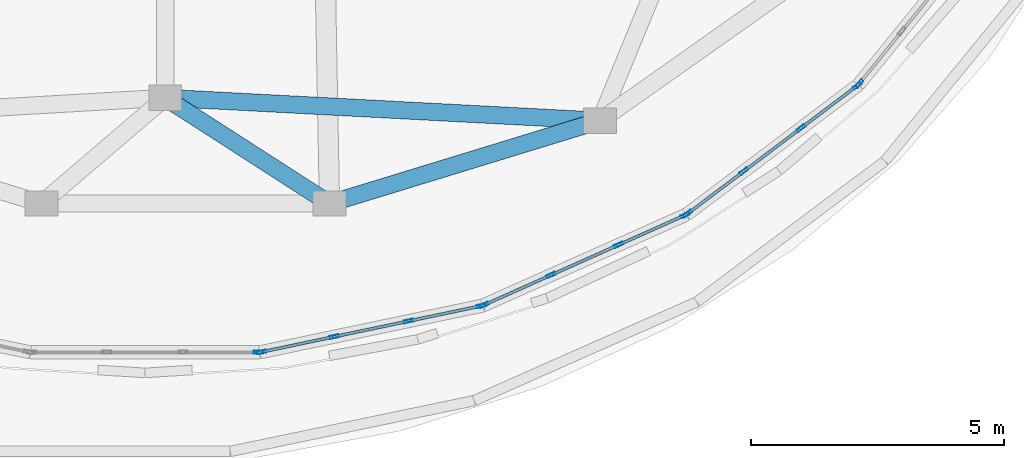
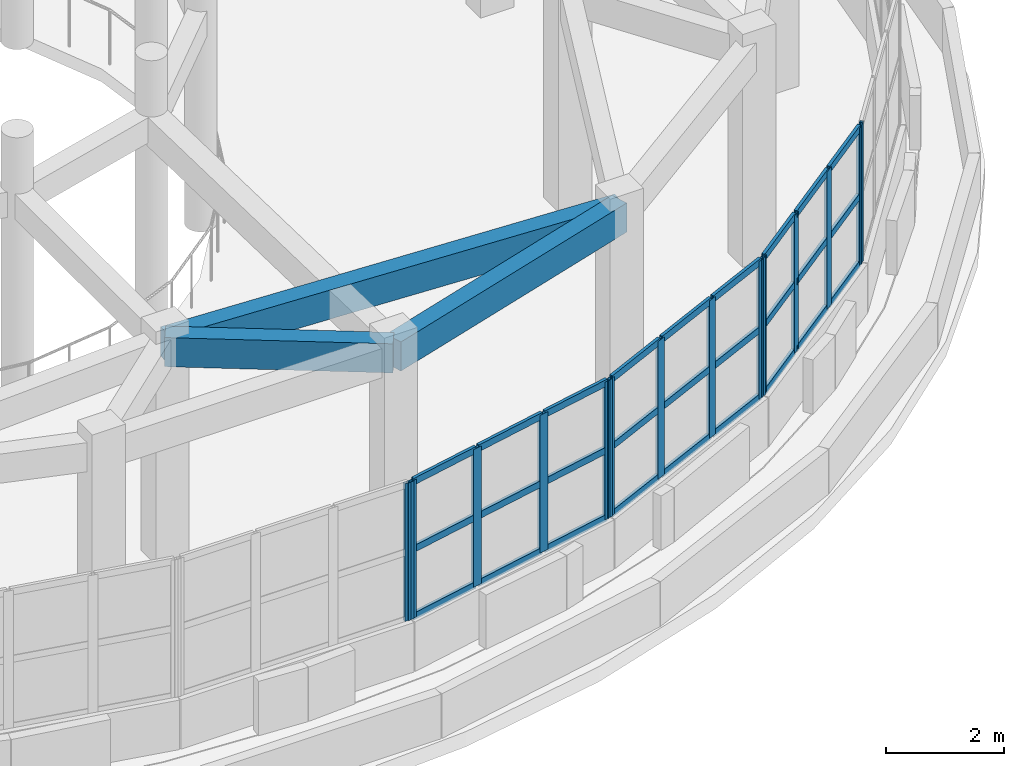
# One storey, part 8 of 98: 41 members, 3 beams, 5 elements without a shape of their own.
"""IFC4 building model written with IfcOpenShell, lengths in metres."""

from ifc_helpers import new_model, si_unit, direction, frame, origin, origin_2d, place, context, subcontext, project, spatial, rectangle, hollow_rectangle, extrude, material, layer, layer_set, material_profile, profile_set, type_object, element, aggregate, save


model = new_model("IFC4")

# Units and contexts
model_context = context("Model", 3, precision=1e-05, world=origin(), true_north=direction((0.0, 1.0)))
body_context = subcontext(model_context, "Body", "Model", "MODEL_VIEW")
ifc_project = project(units=[si_unit("LENGTHUNIT", "METRE"), si_unit("AREAUNIT", "SQUARE_METRE"), si_unit("VOLUMEUNIT", "CUBIC_METRE"), si_unit("PLANEANGLEUNIT", "RADIAN"), si_unit("MASSUNIT", "GRAM", prefix="KILO")], contexts=[model_context])

# Site, building, storey
site_placement = place(None, origin())
site = spatial("IfcSite", under=ifc_project, at=site_placement, CompositionType="ELEMENT")
building_placement = place(site_placement, origin())
building = spatial("IfcBuilding", under=site, at=building_placement, Name="Pelvatis Terrace Science Centre", CompositionType="ELEMENT")
storey_placement = place(building_placement, frame((0.0, 0.0, 5.39990234375)))
storey = spatial("IfcBuildingStorey", under=building, at=storey_placement, Name="L01", CompositionType="ELEMENT", Elevation=5.39990234375)

# Curtain wall, member
ifc_material_1 = material(Name="Bronze-anodised aluminium and laminated glass", Category="aluminium")
ifc_layer = layer(ifc_material_1, 0.179931640625)
ifc_layer_set = layer_set([ifc_layer], Name="Bronze-anodised aluminium and laminated glass")
curtain_wall_type = type_object("IfcCurtainWallType", Name="CW-RIBBON-A", PredefinedType="NOTDEFINED", material=ifc_layer_set)
curtain_wall_1_placement = place(storey_placement, origin())
curtain_wall_1 = element("IfcCurtainWall", 1, at=curtain_wall_1_placement, inside=storey, type_object=curtain_wall_type, Name="Ribbon curtain wall CW-036 (L01)", PredefinedType="NOTDEFINED")
ifc_material_2 = material(Name="Bronze-anodised aluminium 6063-T6", Category="aluminium")
ifc_material_profile_1 = material_profile(ifc_material_2, hollow_rectangle(XDim=0.06005859375, YDim=0.179931640625, WallThickness=0.00390625, at=origin_2d()), Name="ALU-MUL 60x180")
ifc_profile_set_1 = profile_set([ifc_material_profile_1], Name="Bronze-anodised aluminium 6063-T6")
member_type_1 = type_object("IfcMemberType", Name="CWM-60x180", PredefinedType="MULLION", material=ifc_profile_set_1)
member_1_placement = place(storey_placement, frame((48.64208984375, 18.866943359375, 1.02001953125), z_axis=(0.0, 0.0, 1.0), x_axis=(0.0, 1.0, 0.0)))
member_1 = element("IfcMember", 2, at=member_1_placement, type_object=member_type_1, Name="CW-036 mullion 4", PredefinedType="MULLION", context=body_context, shape_type="SweptSolid", body=[
    extrude(hollow_rectangle(XDim=0.06005859375, YDim=0.179931640625, WallThickness=0.00390625, at=origin_2d()), origin(), (0.0, 0.0, 1.0), 2.840087890625),
])
aggregate(curtain_wall_1, [member_1])

# Curtain wall, members
curtain_wall_2_placement = place(storey_placement, origin())
curtain_wall_2 = element("IfcCurtainWall", 3, at=curtain_wall_2_placement, inside=storey, type_object=curtain_wall_type, Name="Ribbon curtain wall CW-037 (L01)", PredefinedType="NOTDEFINED")
member_2_placement = place(storey_placement, frame((48.701416015625, 18.873046875, 1.02001953125), z_axis=(0.0, 0.0, 1.0), x_axis=(-0.205397839698, 0.978678561862, 0.0)))
member_2 = element("IfcMember", 4, at=member_2_placement, type_object=member_type_1, Name="CW-037 mullion 1", PredefinedType="MULLION", context=body_context, shape_type="SweptSolid", body=[
    extrude(hollow_rectangle(XDim=0.06005859375, YDim=0.179931640625, WallThickness=0.00390625, at=origin_2d()), origin(), (0.0, 0.0, 1.0), 2.840087890625),
])
member_3_placement = place(storey_placement, frame((50.142822265625, 19.17578125, 1.02001953125), z_axis=(0.0, 0.0, 1.0), x_axis=(-0.205397839698, 0.978678561862, 0.0)))
member_3 = element("IfcMember", 5, at=member_3_placement, type_object=member_type_1, Name="CW-037 mullion 2", PredefinedType="MULLION", context=body_context, shape_type="SweptSolid", body=[
    extrude(hollow_rectangle(XDim=0.06005859375, YDim=0.179931640625, WallThickness=0.00390625, at=origin_2d()), origin(), (0.0, 0.0, 1.0), 2.840087890625),
])
member_4_placement = place(storey_placement, frame((51.613525390625, 19.484375, 1.02001953125), z_axis=(0.0, 0.0, 1.0), x_axis=(-0.205397839698, 0.978678561862, 0.0)))
member_4 = element("IfcMember", 6, at=member_4_placement, type_object=member_type_1, Name="CW-037 mullion 3", PredefinedType="MULLION", context=body_context, shape_type="SweptSolid", body=[
    extrude(hollow_rectangle(XDim=0.06005859375, YDim=0.179931640625, WallThickness=0.00390625, at=origin_2d()), origin(), (0.0, 0.0, 1.0), 2.840087890625),
])
member_5_placement = place(storey_placement, frame((53.054931640625, 19.786865234375, 1.02001953125), z_axis=(0.0, 0.0, 1.0), x_axis=(-0.205397839698, 0.978678561862, 0.0)))
member_5 = element("IfcMember", 7, at=member_5_placement, type_object=member_type_1, Name="CW-037 mullion 4", PredefinedType="MULLION", context=body_context, shape_type="SweptSolid", body=[
    extrude(hollow_rectangle(XDim=0.06005859375, YDim=0.179931640625, WallThickness=0.00390625, at=origin_2d()), origin(), (0.0, 0.0, 1.0), 2.840087890625),
])

curtain_wall_3_placement = place(storey_placement, origin())
curtain_wall_3 = element("IfcCurtainWall", 8, at=curtain_wall_3_placement, inside=storey, type_object=curtain_wall_type, Name="Ribbon curtain wall CW-038 (L01)", PredefinedType="NOTDEFINED")
member_6_placement = place(storey_placement, frame((53.111572265625, 19.80517578125, 1.02001953125), z_axis=(0.0, 0.0, 1.0), x_axis=(-0.407992377394, 0.91298533394, 0.0)))
member_6 = element("IfcMember", 9, at=member_6_placement, type_object=member_type_1, Name="CW-038 mullion 1", PredefinedType="MULLION", context=body_context, shape_type="SweptSolid", body=[
    extrude(hollow_rectangle(XDim=0.06005859375, YDim=0.179931640625, WallThickness=0.00390625, at=origin_2d()), origin(), (0.0, 0.0, 1.0), 2.840087890625),
])
member_7_placement = place(storey_placement, frame((54.425537109375, 20.392333984375, 1.02001953125), z_axis=(0.0, 0.0, 1.0), x_axis=(-0.407992377394, 0.91298533394, 0.0)))
member_7 = element("IfcMember", 10, at=member_7_placement, type_object=member_type_1, Name="CW-038 mullion 2", PredefinedType="MULLION", context=body_context, shape_type="SweptSolid", body=[
    extrude(hollow_rectangle(XDim=0.06005859375, YDim=0.179931640625, WallThickness=0.00390625, at=origin_2d()), origin(), (0.0, 0.0, 1.0), 2.840087890625),
])
member_8_placement = place(storey_placement, frame((55.766845703125, 20.99169921875, 1.02001953125), z_axis=(0.0, 0.0, 1.0), x_axis=(-0.407992377394, 0.91298533394, 0.0)))
member_8 = element("IfcMember", 11, at=member_8_placement, type_object=member_type_1, Name="CW-038 mullion 3", PredefinedType="MULLION", context=body_context, shape_type="SweptSolid", body=[
    extrude(hollow_rectangle(XDim=0.06005859375, YDim=0.179931640625, WallThickness=0.00390625, at=origin_2d()), origin(), (0.0, 0.0, 1.0), 2.840087890625),
])
member_9_placement = place(storey_placement, frame((57.08056640625, 21.578857421875, 1.02001953125), z_axis=(0.0, 0.0, 1.0), x_axis=(-0.407992377394, 0.91298533394, 0.0)))
member_9 = element("IfcMember", 12, at=member_9_placement, type_object=member_type_1, Name="CW-038 mullion 4", PredefinedType="MULLION", context=body_context, shape_type="SweptSolid", body=[
    extrude(hollow_rectangle(XDim=0.06005859375, YDim=0.179931640625, WallThickness=0.00390625, at=origin_2d()), origin(), (0.0, 0.0, 1.0), 2.840087890625),
])

curtain_wall_4_placement = place(storey_placement, origin())
curtain_wall_4 = element("IfcCurtainWall", 13, at=curtain_wall_4_placement, inside=storey, type_object=curtain_wall_type, Name="Ribbon curtain wall CW-039 (L01)", PredefinedType="NOTDEFINED")
member_10_placement = place(storey_placement, frame((57.1318359375, 21.609130859375, 1.02001953125), z_axis=(0.0, 0.0, 1.0), x_axis=(-0.602213340756, 0.798335200411, 0.0)))
member_10 = element("IfcMember", 14, at=member_10_placement, type_object=member_type_1, Name="CW-039 mullion 1", PredefinedType="MULLION", context=body_context, shape_type="SweptSolid", body=[
    extrude(hollow_rectangle(XDim=0.06005859375, YDim=0.179931640625, WallThickness=0.00390625, at=origin_2d()), origin(), (0.0, 0.0, 1.0), 2.840087890625),
])
member_11_placement = place(storey_placement, frame((58.24169921875, 22.4462890625, 1.02001953125), z_axis=(0.0, 0.0, 1.0), x_axis=(-0.602213340756, 0.798335200411, 0.0)))
member_11 = element("IfcMember", 15, at=member_11_placement, type_object=member_type_1, Name="CW-039 mullion 2", PredefinedType="MULLION", context=body_context, shape_type="SweptSolid", body=[
    extrude(hollow_rectangle(XDim=0.06005859375, YDim=0.179931640625, WallThickness=0.00390625, at=origin_2d()), origin(), (0.0, 0.0, 1.0), 2.840087890625),
])
member_12_placement = place(storey_placement, frame((59.37548828125, 23.301513671875, 1.02001953125), z_axis=(0.0, 0.0, 1.0), x_axis=(-0.602213340756, 0.798335200411, 0.0)))
member_12 = element("IfcMember", 16, at=member_12_placement, type_object=member_type_1, Name="CW-039 mullion 3", PredefinedType="MULLION", context=body_context, shape_type="SweptSolid", body=[
    extrude(hollow_rectangle(XDim=0.06005859375, YDim=0.179931640625, WallThickness=0.00390625, at=origin_2d()), origin(), (0.0, 0.0, 1.0), 2.840087890625),
])
member_13_placement = place(storey_placement, frame((60.4853515625, 24.138916015625, 1.02001953125), z_axis=(0.0, 0.0, 1.0), x_axis=(-0.602213340756, 0.798335200411, 0.0)))
member_13 = element("IfcMember", 17, at=member_13_placement, type_object=member_type_1, Name="CW-039 mullion 4", PredefinedType="MULLION", context=body_context, shape_type="SweptSolid", body=[
    extrude(hollow_rectangle(XDim=0.06005859375, YDim=0.179931640625, WallThickness=0.00390625, at=origin_2d()), origin(), (0.0, 0.0, 1.0), 2.840087890625),
])

# Curtain wall, member
curtain_wall_5_placement = place(storey_placement, origin())
curtain_wall_5 = element("IfcCurtainWall", 18, at=curtain_wall_5_placement, inside=storey, type_object=curtain_wall_type, Name="Ribbon curtain wall CW-040 (L01)", PredefinedType="NOTDEFINED")
member_14_placement = place(storey_placement, frame((60.5283203125, 24.18017578125, 1.02001953125), z_axis=(0.0, 0.0, 1.0), x_axis=(-0.776811223185, 0.629733533753, 0.0)))
member_14 = element("IfcMember", 19, at=member_14_placement, type_object=member_type_1, Name="CW-040 mullion 1", PredefinedType="MULLION", context=body_context, shape_type="SweptSolid", body=[
    extrude(hollow_rectangle(XDim=0.06005859375, YDim=0.179931640625, WallThickness=0.00390625, at=origin_2d()), origin(), (0.0, 0.0, 1.0), 2.840087890625),
])
aggregate(curtain_wall_5, [member_14])

# Member
ifc_material_3 = material(Name="Bronze-anodised aluminium 6063-T6", Category="aluminium")
ifc_material_profile_2 = material_profile(ifc_material_3, hollow_rectangle(XDim=0.06005859375, YDim=0.139892578125, WallThickness=0.00390625, at=origin_2d()), Name="ALU-TRN 60x140")
ifc_profile_set_2 = profile_set([ifc_material_profile_2], Name="Bronze-anodised aluminium 6063-T6")
member_type_2 = type_object("IfcMemberType", Name="CWT-60x140", PredefinedType="USERDEFINED", material=ifc_profile_set_2)
member_15_placement = place(storey_placement, frame((48.730712890625, 18.87939453125, 1.050048828125), z_axis=(0.978703513381, 0.205278914883, 0.0), x_axis=(-0.205278914883, 0.978703513381, 0.0)))
member_15 = element("IfcMember", 20, at=member_15_placement, type_object=member_type_2, Name="CW-037 transom 1.1", ObjectType="TRANSOM", PredefinedType="USERDEFINED", context=body_context, shape_type="SweptSolid", body=[
    extrude(hollow_rectangle(XDim=0.06005859375, YDim=0.139892578125, WallThickness=0.00390625, at=origin_2d()), origin(), (0.0, 0.0, 1.0), 1.412841796875),
])

member_16_placement = place(storey_placement, frame((48.730712890625, 18.87939453125, 2.440185546875), z_axis=(0.978703513381, 0.205278914883, 0.0), x_axis=(-0.205278914883, 0.978703513381, 0.0)))
member_16 = element("IfcMember", 21, at=member_16_placement, type_object=member_type_2, Name="CW-037 transom 1.2", ObjectType="TRANSOM", PredefinedType="USERDEFINED", context=body_context, shape_type="SweptSolid", body=[
    extrude(hollow_rectangle(XDim=0.06005859375, YDim=0.139892578125, WallThickness=0.00390625, at=origin_2d()), origin(), (0.0, 0.0, 1.0), 1.412841796875),
])

member_17_placement = place(storey_placement, frame((48.730712890625, 18.87939453125, 3.830078125), z_axis=(0.978703513381, 0.205278914883, 0.0), x_axis=(-0.205278914883, 0.978703513381, 0.0)))
member_17 = element("IfcMember", 22, at=member_17_placement, type_object=member_type_2, Name="CW-037 transom 1.3", ObjectType="TRANSOM", PredefinedType="USERDEFINED", context=body_context, shape_type="SweptSolid", body=[
    extrude(hollow_rectangle(XDim=0.06005859375, YDim=0.139892578125, WallThickness=0.00390625, at=origin_2d()), origin(), (0.0, 0.0, 1.0), 1.412841796875),
])

member_18_placement = place(storey_placement, frame((50.172119140625, 19.181884765625, 1.050048828125), z_axis=(0.978675271589, 0.205413516547, 0.0), x_axis=(-0.205413516547, 0.978675271589, 0.0)))
member_18 = element("IfcMember", 23, at=member_18_placement, type_object=member_type_2, Name="CW-037 transom 2.1", ObjectType="TRANSOM", PredefinedType="USERDEFINED", context=body_context, shape_type="SweptSolid", body=[
    extrude(hollow_rectangle(XDim=0.06005859375, YDim=0.139892578125, WallThickness=0.00390625, at=origin_2d()), origin(), (0.0, 0.0, 1.0), 1.44287109375),
])

member_19_placement = place(storey_placement, frame((50.172119140625, 19.181884765625, 2.440185546875), z_axis=(0.978675271589, 0.205413516547, 0.0), x_axis=(-0.205413516547, 0.978675271589, 0.0)))
member_19 = element("IfcMember", 24, at=member_19_placement, type_object=member_type_2, Name="CW-037 transom 2.2", ObjectType="TRANSOM", PredefinedType="USERDEFINED", context=body_context, shape_type="SweptSolid", body=[
    extrude(hollow_rectangle(XDim=0.06005859375, YDim=0.139892578125, WallThickness=0.00390625, at=origin_2d()), origin(), (0.0, 0.0, 1.0), 1.44287109375),
])

member_20_placement = place(storey_placement, frame((50.172119140625, 19.181884765625, 3.830078125), z_axis=(0.978675271589, 0.205413516547, 0.0), x_axis=(-0.205413516547, 0.978675271589, 0.0)))
member_20 = element("IfcMember", 25, at=member_20_placement, type_object=member_type_2, Name="CW-037 transom 2.3", ObjectType="TRANSOM", PredefinedType="USERDEFINED", context=body_context, shape_type="SweptSolid", body=[
    extrude(hollow_rectangle(XDim=0.06005859375, YDim=0.139892578125, WallThickness=0.00390625, at=origin_2d()), origin(), (0.0, 0.0, 1.0), 1.44287109375),
])

member_21_placement = place(storey_placement, frame((51.642822265625, 19.490478515625, 1.050048828125), z_axis=(0.978668785121, 0.205444418346, 0.0), x_axis=(-0.205444418346, 0.978668785121, 0.0)))
member_21 = element("IfcMember", 26, at=member_21_placement, type_object=member_type_2, Name="CW-037 transom 3.1", ObjectType="TRANSOM", PredefinedType="USERDEFINED", context=body_context, shape_type="SweptSolid", body=[
    extrude(hollow_rectangle(XDim=0.06005859375, YDim=0.139892578125, WallThickness=0.00390625, at=origin_2d()), origin(), (0.0, 0.0, 1.0), 1.412841796875),
])

member_22_placement = place(storey_placement, frame((51.642822265625, 19.490478515625, 2.440185546875), z_axis=(0.978668785121, 0.205444418346, 0.0), x_axis=(-0.205444418346, 0.978668785121, 0.0)))
member_22 = element("IfcMember", 27, at=member_22_placement, type_object=member_type_2, Name="CW-037 transom 3.2", ObjectType="TRANSOM", PredefinedType="USERDEFINED", context=body_context, shape_type="SweptSolid", body=[
    extrude(hollow_rectangle(XDim=0.06005859375, YDim=0.139892578125, WallThickness=0.00390625, at=origin_2d()), origin(), (0.0, 0.0, 1.0), 1.412841796875),
])

member_23_placement = place(storey_placement, frame((51.642822265625, 19.490478515625, 3.830078125), z_axis=(0.978668785121, 0.205444418346, 0.0), x_axis=(-0.205444418346, 0.978668785121, 0.0)))
member_23 = element("IfcMember", 28, at=member_23_placement, type_object=member_type_2, Name="CW-037 transom 3.3", ObjectType="TRANSOM", PredefinedType="USERDEFINED", context=body_context, shape_type="SweptSolid", body=[
    extrude(hollow_rectangle(XDim=0.06005859375, YDim=0.139892578125, WallThickness=0.00390625, at=origin_2d()), origin(), (0.0, 0.0, 1.0), 1.412841796875),
])

aggregate(curtain_wall_2, [member_2, member_3, member_4, member_5, member_15, member_16, member_17, member_18, member_19, member_20, member_21, member_22, member_23])

member_24_placement = place(storey_placement, frame((53.13916015625, 19.8173828125, 1.050048828125), z_axis=(0.912955392726, 0.408059371773, 0.0), x_axis=(-0.408059371773, 0.912955392726, 0.0)))
member_24 = element("IfcMember", 29, at=member_24_placement, type_object=member_type_2, Name="CW-038 transom 1.1", ObjectType="TRANSOM", PredefinedType="USERDEFINED", context=body_context, shape_type="SweptSolid", body=[
    extrude(hollow_rectangle(XDim=0.06005859375, YDim=0.139892578125, WallThickness=0.00390625, at=origin_2d()), origin(), (0.0, 0.0, 1.0), 1.379150390625),
])

member_25_placement = place(storey_placement, frame((53.13916015625, 19.8173828125, 2.440185546875), z_axis=(0.912955392726, 0.408059371773, 0.0), x_axis=(-0.408059371773, 0.912955392726, 0.0)))
member_25 = element("IfcMember", 30, at=member_25_placement, type_object=member_type_2, Name="CW-038 transom 1.2", ObjectType="TRANSOM", PredefinedType="USERDEFINED", context=body_context, shape_type="SweptSolid", body=[
    extrude(hollow_rectangle(XDim=0.06005859375, YDim=0.139892578125, WallThickness=0.00390625, at=origin_2d()), origin(), (0.0, 0.0, 1.0), 1.379150390625),
])

member_26_placement = place(storey_placement, frame((53.13916015625, 19.8173828125, 3.830078125), z_axis=(0.912955392726, 0.408059371773, 0.0), x_axis=(-0.408059371773, 0.912955392726, 0.0)))
member_26 = element("IfcMember", 31, at=member_26_placement, type_object=member_type_2, Name="CW-038 transom 1.3", ObjectType="TRANSOM", PredefinedType="USERDEFINED", context=body_context, shape_type="SweptSolid", body=[
    extrude(hollow_rectangle(XDim=0.06005859375, YDim=0.139892578125, WallThickness=0.00390625, at=origin_2d()), origin(), (0.0, 0.0, 1.0), 1.379150390625),
])

member_27_placement = place(storey_placement, frame((54.452880859375, 20.404541015625, 1.050048828125), z_axis=(0.912959272944, 0.408050690412, 0.0), x_axis=(-0.408050690412, 0.912959272944, 0.0)))
member_27 = element("IfcMember", 32, at=member_27_placement, type_object=member_type_2, Name="CW-038 transom 2.1", ObjectType="TRANSOM", PredefinedType="USERDEFINED", context=body_context, shape_type="SweptSolid", body=[
    extrude(hollow_rectangle(XDim=0.06005859375, YDim=0.139892578125, WallThickness=0.00390625, at=origin_2d()), origin(), (0.0, 0.0, 1.0), 1.408935546875),
])

member_28_placement = place(storey_placement, frame((54.452880859375, 20.404541015625, 2.440185546875), z_axis=(0.912959272944, 0.408050690412, 0.0), x_axis=(-0.408050690412, 0.912959272944, 0.0)))
member_28 = element("IfcMember", 33, at=member_28_placement, type_object=member_type_2, Name="CW-038 transom 2.2", ObjectType="TRANSOM", PredefinedType="USERDEFINED", context=body_context, shape_type="SweptSolid", body=[
    extrude(hollow_rectangle(XDim=0.06005859375, YDim=0.139892578125, WallThickness=0.00390625, at=origin_2d()), origin(), (0.0, 0.0, 1.0), 1.408935546875),
])

member_29_placement = place(storey_placement, frame((54.452880859375, 20.404541015625, 3.830078125), z_axis=(0.912959272944, 0.408050690412, 0.0), x_axis=(-0.408050690412, 0.912959272944, 0.0)))
member_29 = element("IfcMember", 34, at=member_29_placement, type_object=member_type_2, Name="CW-038 transom 2.3", ObjectType="TRANSOM", PredefinedType="USERDEFINED", context=body_context, shape_type="SweptSolid", body=[
    extrude(hollow_rectangle(XDim=0.06005859375, YDim=0.139892578125, WallThickness=0.00390625, at=origin_2d()), origin(), (0.0, 0.0, 1.0), 1.408935546875),
])

member_30_placement = place(storey_placement, frame((55.794189453125, 21.00390625, 1.050048828125), z_axis=(0.912955392726, 0.408059371773, 0.0), x_axis=(-0.408059371773, 0.912955392726, 0.0)))
member_30 = element("IfcMember", 35, at=member_30_placement, type_object=member_type_2, Name="CW-038 transom 3.1", ObjectType="TRANSOM", PredefinedType="USERDEFINED", context=body_context, shape_type="SweptSolid", body=[
    extrude(hollow_rectangle(XDim=0.06005859375, YDim=0.139892578125, WallThickness=0.00390625, at=origin_2d()), origin(), (0.0, 0.0, 1.0), 1.379150390625),
])

member_31_placement = place(storey_placement, frame((55.794189453125, 21.00390625, 2.440185546875), z_axis=(0.912955392726, 0.408059371773, 0.0), x_axis=(-0.408059371773, 0.912955392726, 0.0)))
member_31 = element("IfcMember", 36, at=member_31_placement, type_object=member_type_2, Name="CW-038 transom 3.2", ObjectType="TRANSOM", PredefinedType="USERDEFINED", context=body_context, shape_type="SweptSolid", body=[
    extrude(hollow_rectangle(XDim=0.06005859375, YDim=0.139892578125, WallThickness=0.00390625, at=origin_2d()), origin(), (0.0, 0.0, 1.0), 1.379150390625),
])

member_32_placement = place(storey_placement, frame((55.794189453125, 21.00390625, 3.830078125), z_axis=(0.912955392726, 0.408059371773, 0.0), x_axis=(-0.408059371773, 0.912955392726, 0.0)))
member_32 = element("IfcMember", 37, at=member_32_placement, type_object=member_type_2, Name="CW-038 transom 3.3", ObjectType="TRANSOM", PredefinedType="USERDEFINED", context=body_context, shape_type="SweptSolid", body=[
    extrude(hollow_rectangle(XDim=0.06005859375, YDim=0.139892578125, WallThickness=0.00390625, at=origin_2d()), origin(), (0.0, 0.0, 1.0), 1.379150390625),
])

aggregate(curtain_wall_3, [member_6, member_7, member_8, member_9, member_24, member_25, member_26, member_27, member_28, member_29, member_30, member_31, member_32])

member_33_placement = place(storey_placement, frame((57.156005859375, 21.627197265625, 1.050048828125), z_axis=(0.798300712903, 0.602259057033, 0.0), x_axis=(-0.602259057033, 0.798300712903, 0.0)))
member_33 = element("IfcMember", 38, at=member_33_placement, type_object=member_type_2, Name="CW-039 transom 1.1", ObjectType="TRANSOM", PredefinedType="USERDEFINED", context=body_context, shape_type="SweptSolid", body=[
    extrude(hollow_rectangle(XDim=0.06005859375, YDim=0.139892578125, WallThickness=0.00390625, at=origin_2d()), origin(), (0.0, 0.0, 1.0), 1.330078125),
])

member_34_placement = place(storey_placement, frame((57.156005859375, 21.627197265625, 2.440185546875), z_axis=(0.798300712903, 0.602259057033, 0.0), x_axis=(-0.602259057033, 0.798300712903, 0.0)))
member_34 = element("IfcMember", 39, at=member_34_placement, type_object=member_type_2, Name="CW-039 transom 1.2", ObjectType="TRANSOM", PredefinedType="USERDEFINED", context=body_context, shape_type="SweptSolid", body=[
    extrude(hollow_rectangle(XDim=0.06005859375, YDim=0.139892578125, WallThickness=0.00390625, at=origin_2d()), origin(), (0.0, 0.0, 1.0), 1.330078125),
])

member_35_placement = place(storey_placement, frame((57.156005859375, 21.627197265625, 3.830078125), z_axis=(0.798300712903, 0.602259057033, 0.0), x_axis=(-0.602259057033, 0.798300712903, 0.0)))
member_35 = element("IfcMember", 40, at=member_35_placement, type_object=member_type_2, Name="CW-039 transom 1.3", ObjectType="TRANSOM", PredefinedType="USERDEFINED", context=body_context, shape_type="SweptSolid", body=[
    extrude(hollow_rectangle(XDim=0.06005859375, YDim=0.139892578125, WallThickness=0.00390625, at=origin_2d()), origin(), (0.0, 0.0, 1.0), 1.330078125),
])

member_36_placement = place(storey_placement, frame((58.265869140625, 22.46435546875, 1.050048828125), z_axis=(0.798294997433, 0.602266632874, 0.0), x_axis=(-0.602266632874, 0.798294997433, 0.0)))
member_36 = element("IfcMember", 41, at=member_36_placement, type_object=member_type_2, Name="CW-039 transom 2.1", ObjectType="TRANSOM", PredefinedType="USERDEFINED", context=body_context, shape_type="SweptSolid", body=[
    extrude(hollow_rectangle(XDim=0.06005859375, YDim=0.139892578125, WallThickness=0.00390625, at=origin_2d()), origin(), (0.0, 0.0, 1.0), 1.360107421875),
])

member_37_placement = place(storey_placement, frame((58.265869140625, 22.46435546875, 2.440185546875), z_axis=(0.798294997433, 0.602266632874, 0.0), x_axis=(-0.602266632874, 0.798294997433, 0.0)))
member_37 = element("IfcMember", 42, at=member_37_placement, type_object=member_type_2, Name="CW-039 transom 2.2", ObjectType="TRANSOM", PredefinedType="USERDEFINED", context=body_context, shape_type="SweptSolid", body=[
    extrude(hollow_rectangle(XDim=0.06005859375, YDim=0.139892578125, WallThickness=0.00390625, at=origin_2d()), origin(), (0.0, 0.0, 1.0), 1.360107421875),
])

member_38_placement = place(storey_placement, frame((58.265869140625, 22.46435546875, 3.830078125), z_axis=(0.798294997433, 0.602266632874, 0.0), x_axis=(-0.602266632874, 0.798294997433, 0.0)))
member_38 = element("IfcMember", 43, at=member_38_placement, type_object=member_type_2, Name="CW-039 transom 2.3", ObjectType="TRANSOM", PredefinedType="USERDEFINED", context=body_context, shape_type="SweptSolid", body=[
    extrude(hollow_rectangle(XDim=0.06005859375, YDim=0.139892578125, WallThickness=0.00390625, at=origin_2d()), origin(), (0.0, 0.0, 1.0), 1.360107421875),
])

member_39_placement = place(storey_placement, frame((59.399658203125, 23.319580078125, 1.050048828125), z_axis=(0.798212461601, 0.602376017239, 0.0), x_axis=(-0.602376017239, 0.798212461601, 0.0)))
member_39 = element("IfcMember", 44, at=member_39_placement, type_object=member_type_2, Name="CW-039 transom 3.1", ObjectType="TRANSOM", PredefinedType="USERDEFINED", context=body_context, shape_type="SweptSolid", body=[
    extrude(hollow_rectangle(XDim=0.06005859375, YDim=0.139892578125, WallThickness=0.00390625, at=origin_2d()), origin(), (0.0, 0.0, 1.0), 1.330078125),
])

member_40_placement = place(storey_placement, frame((59.399658203125, 23.319580078125, 2.440185546875), z_axis=(0.798212461601, 0.602376017239, 0.0), x_axis=(-0.602376017239, 0.798212461601, 0.0)))
member_40 = element("IfcMember", 45, at=member_40_placement, type_object=member_type_2, Name="CW-039 transom 3.2", ObjectType="TRANSOM", PredefinedType="USERDEFINED", context=body_context, shape_type="SweptSolid", body=[
    extrude(hollow_rectangle(XDim=0.06005859375, YDim=0.139892578125, WallThickness=0.00390625, at=origin_2d()), origin(), (0.0, 0.0, 1.0), 1.330078125),
])

member_41_placement = place(storey_placement, frame((59.399658203125, 23.319580078125, 3.830078125), z_axis=(0.798212461601, 0.602376017239, 0.0), x_axis=(-0.602376017239, 0.798212461601, 0.0)))
member_41 = element("IfcMember", 46, at=member_41_placement, type_object=member_type_2, Name="CW-039 transom 3.3", ObjectType="TRANSOM", PredefinedType="USERDEFINED", context=body_context, shape_type="SweptSolid", body=[
    extrude(hollow_rectangle(XDim=0.06005859375, YDim=0.139892578125, WallThickness=0.00390625, at=origin_2d()), origin(), (0.0, 0.0, 1.0), 1.330078125),
])

aggregate(curtain_wall_4, [member_10, member_11, member_12, member_13, member_33, member_34, member_35, member_36, member_37, member_38, member_39, member_40, member_41])

# Beams
ifc_material_4 = material(Name="Concrete C35/45", Category="concrete")
ifc_material_profile_3 = material_profile(ifc_material_4, rectangle(XDim=0.340087890625, YDim=0.60009765625, at=origin_2d()), Name="RC-SPN 340x600")
ifc_profile_set_3 = profile_set([ifc_material_profile_3], Name="Concrete C35/45")
beam_type = type_object("IfcBeamType", Name="SPN-RC-340x600", PredefinedType="SPANDREL", material=ifc_profile_set_3)
beam_1_placement = place(storey_placement, frame((50.0478515625, 21.809814453125, 4.239990234375), z_axis=(0.956173292978, 0.292801355522, 0.0), x_axis=(-0.292801355522, 0.956173292978, 0.0)))
element("IfcBeam", 47, at=beam_1_placement, inside=storey, type_object=beam_type, Name="Spandrel SP-L01-2700", PredefinedType="SPANDREL", context=body_context, shape_type="SweptSolid", body=[
    extrude(rectangle(XDim=0.340087890625, YDim=0.60009765625, at=origin_2d()), origin(), (0.0, 0.0, 1.0), 5.597412109375),
])
beam_2_placement = place(storey_placement, frame((50.0478515625, 21.809814453125, 4.239990234375), z_axis=(-0.840917539868, 0.541163275863, 0.0), x_axis=(-0.541163275863, -0.840917539868, 0.0)))
element("IfcBeam", 48, at=beam_2_placement, inside=storey, type_object=beam_type, Name="Spandrel SP-L01-2701", PredefinedType="SPANDREL", context=body_context, shape_type="SweptSolid", body=[
    extrude(rectangle(XDim=0.340087890625, YDim=0.60009765625, at=origin_2d()), origin(), (0.0, 0.0, 1.0), 3.8623046875),
])
beam_3_placement = place(storey_placement, frame((55.39990234375, 23.44873046875, 4.239990234375), z_axis=(-0.998626664744, 0.052390690602, 0.0), x_axis=(-0.052390690602, -0.998626664744, 0.0)))
element("IfcBeam", 49, at=beam_3_placement, inside=storey, type_object=beam_type, Name="Spandrel SP-L01-2703", PredefinedType="SPANDREL", context=body_context, shape_type="SweptSolid", body=[
    extrude(rectangle(XDim=0.340087890625, YDim=0.60009765625, at=origin_2d()), origin(), (0.0, 0.0, 1.0), 8.611572265625),
])

save(model, "model.ifc")
